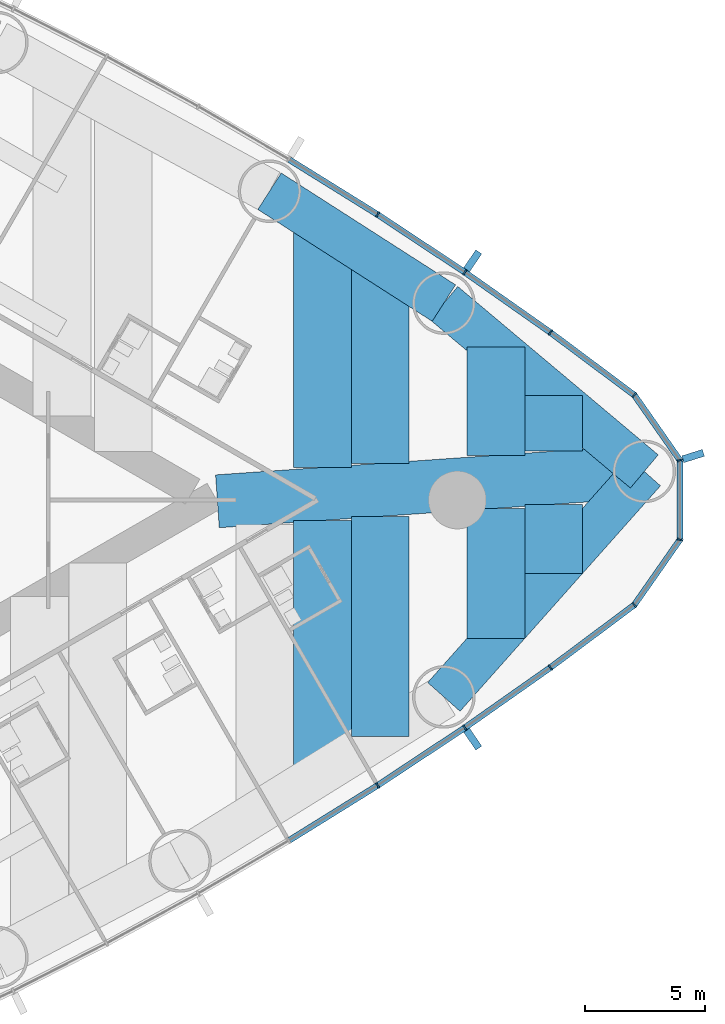
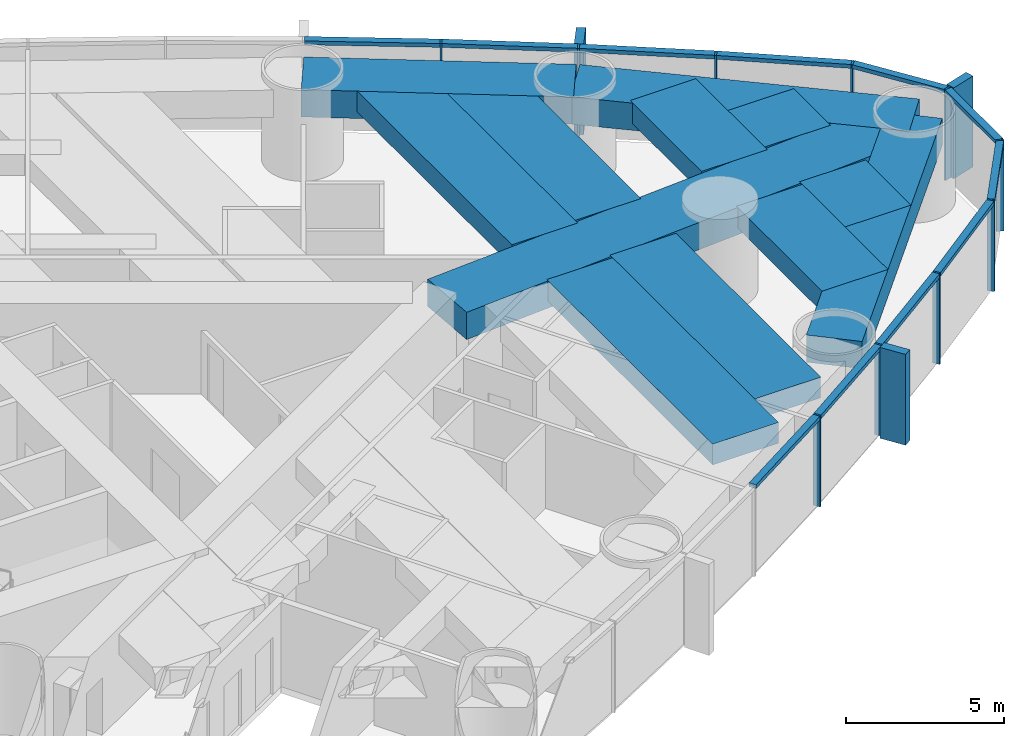
# One storey, part 8 of 18: 24 members, 12 beams, 1 element without a shape of its own.
"""IFC4 building model written with IfcOpenShell, lengths in metres."""

from ifc_helpers import new_model, si_unit, direction, frame, origin, origin_2d, place, context, subcontext, project, spatial, rectangle, extrude, material, material_profile, profile_set, type_object, element, aggregate, save


model = new_model("IFC4")

# Units and contexts
model_context = context("Model", 3, precision=1e-05, world=origin(), true_north=direction((0.0, 1.0)))
body_context = subcontext(model_context, "Body", "Model", "MODEL_VIEW")
ifc_project = project(units=[si_unit("LENGTHUNIT", "METRE"), si_unit("AREAUNIT", "SQUARE_METRE"), si_unit("VOLUMEUNIT", "CUBIC_METRE"), si_unit("PLANEANGLEUNIT", "RADIAN"), si_unit("MASSUNIT", "GRAM", prefix="KILO")], contexts=[model_context])

# Site, building, storey
site_placement = place(None, origin())
site = spatial("IfcSite", under=ifc_project, at=site_placement, CompositionType="ELEMENT")
building_placement = place(site_placement, origin())
building = spatial("IfcBuilding", under=site, at=building_placement, Name="Lancet Gate Hotel", CompositionType="ELEMENT")
storey_placement = place(building_placement, frame((0.0, 0.0, 94.10009765625)))
storey = spatial("IfcBuildingStorey", under=building, at=storey_placement, Name="L24", CompositionType="ELEMENT", Elevation=94.10009765625)

# Curtain wall, members
ifc_material_1 = material(Name="Aluminium curtain wall", Category="aluminium")
curtain_wall_type = type_object("IfcCurtainWallType", Name="Tower unitised curtain wall", PredefinedType="USERDEFINED", material=ifc_material_1)
curtain_wall_placement = place(storey_placement, origin())
curtain_wall = element("IfcCurtainWall", 1, at=curtain_wall_placement, inside=storey, type_object=curtain_wall_type, Name="T2 L24 curtain wall 1", ObjectType="UNITISED CURTAIN WALL", PredefinedType="USERDEFINED")
ifc_material_2 = material(Name="Aluminium mullion", Category="aluminium")
ifc_material_profile_1 = material_profile(ifc_material_2, rectangle(XDim=0.06494140625, YDim=0.25, at=origin_2d()), Name="MULLION 65x250")
ifc_profile_set_1 = profile_set([ifc_material_profile_1], Name="Aluminium mullion")
member_type_1 = type_object("IfcMemberType", Name="Aluminium mullion 65x250", PredefinedType="MULLION", material=ifc_profile_set_1)
member_1_placement = place(storey_placement, frame((58.188720703125, -11.8603515625, 0.0), z_axis=(0.0, 0.0, 1.0), x_axis=(0.841736224144, 0.539888996891, 0.0)))
member_1 = element("IfcMember", 2, at=member_1_placement, type_object=member_type_1, Name="T2 L24 curtain wall 1 mullion 13", PredefinedType="MULLION", context=body_context, shape_type="SweptSolid", body=[
    extrude(rectangle(XDim=0.06494140625, YDim=0.25, at=origin_2d()), origin(), (0.0, 0.0, 1.0), 3.5),
])
member_2_placement = place(storey_placement, frame((61.814208984375, -9.461669921875, 0.0), z_axis=(0.0, 0.0, 1.0), x_axis=(0.826065510491, 0.563574105489, 0.0)))
member_2 = element("IfcMember", 3, at=member_2_placement, type_object=member_type_1, Name="T2 L24 curtain wall 1 mullion 14", PredefinedType="MULLION", context=body_context, shape_type="SweptSolid", body=[
    extrude(rectangle(XDim=0.06494140625, YDim=0.25, at=origin_2d()), origin(), (0.0, 0.0, 1.0), 3.5),
])
member_3_placement = place(storey_placement, frame((65.370361328125, -6.9609375, 0.0), z_axis=(0.0, 0.0, 1.0), x_axis=(0.809728529035, 0.586804660229, 0.0)))
member_3 = element("IfcMember", 4, at=member_3_placement, type_object=member_type_1, Name="T2 L24 curtain wall 1 mullion 15", PredefinedType="MULLION", context=body_context, shape_type="SweptSolid", body=[
    extrude(rectangle(XDim=0.06494140625, YDim=0.25, at=origin_2d()), origin(), (0.0, 0.0, 1.0), 3.5),
])
member_4_placement = place(storey_placement, frame((68.853759765625, -4.360107421875, 0.0), z_axis=(0.0, 0.0, 1.0), x_axis=(0.711610374907, 0.702574319432, 0.0)))
member_4 = element("IfcMember", 5, at=member_4_placement, type_object=member_type_1, Name="T2 L24 curtain wall 1 mullion 16", PredefinedType="MULLION", context=body_context, shape_type="SweptSolid", body=[
    extrude(rectangle(XDim=0.06494140625, YDim=0.25, at=origin_2d()), origin(), (0.0, 0.0, 1.0), 3.5),
])
member_5_placement = place(storey_placement, frame((70.747314453125, -1.652099609375, 0.0), z_axis=(0.0, 0.0, 1.0), x_axis=(0.300384890639, 0.953818073574, 0.0)))
member_5 = element("IfcMember", 6, at=member_5_placement, type_object=member_type_1, Name="T2 L24 curtain wall 1 mullion 17", PredefinedType="MULLION", context=body_context, shape_type="SweptSolid", body=[
    extrude(rectangle(XDim=0.06494140625, YDim=0.25, at=origin_2d()), origin(), (0.0, 0.0, 1.0), 3.5),
])
member_6_placement = place(storey_placement, frame((70.747314453125, 1.652099609375, 0.0), z_axis=(0.0, 0.0, 1.0), x_axis=(-0.300384890639, 0.953818073574, 0.0)))
member_6 = element("IfcMember", 7, at=member_6_placement, type_object=member_type_1, Name="T2 L24 curtain wall 1 mullion 18", PredefinedType="MULLION", context=body_context, shape_type="SweptSolid", body=[
    extrude(rectangle(XDim=0.06494140625, YDim=0.25, at=origin_2d()), origin(), (0.0, 0.0, 1.0), 3.5),
])
member_7_placement = place(storey_placement, frame((68.853759765625, 4.360107421875, 0.0), z_axis=(0.0, 0.0, 1.0), x_axis=(-0.711610374907, 0.702574319432, 0.0)))
member_7 = element("IfcMember", 8, at=member_7_placement, type_object=member_type_1, Name="T2 L24 curtain wall 1 mullion 19", PredefinedType="MULLION", context=body_context, shape_type="SweptSolid", body=[
    extrude(rectangle(XDim=0.06494140625, YDim=0.25, at=origin_2d()), origin(), (0.0, 0.0, 1.0), 3.5),
])
member_8_placement = place(storey_placement, frame((65.370361328125, 6.9609375, 0.0), z_axis=(0.0, 0.0, 1.0), x_axis=(-0.809728529035, 0.586804660229, 0.0)))
member_8 = element("IfcMember", 9, at=member_8_placement, type_object=member_type_1, Name="T2 L24 curtain wall 1 mullion 20", PredefinedType="MULLION", context=body_context, shape_type="SweptSolid", body=[
    extrude(rectangle(XDim=0.06494140625, YDim=0.25, at=origin_2d()), origin(), (0.0, 0.0, 1.0), 3.5),
])
member_9_placement = place(storey_placement, frame((61.814208984375, 9.461669921875, 0.0), z_axis=(0.0, 0.0, 1.0), x_axis=(-0.826065510491, 0.563574105489, 0.0)))
member_9 = element("IfcMember", 10, at=member_9_placement, type_object=member_type_1, Name="T2 L24 curtain wall 1 mullion 21", PredefinedType="MULLION", context=body_context, shape_type="SweptSolid", body=[
    extrude(rectangle(XDim=0.06494140625, YDim=0.25, at=origin_2d()), origin(), (0.0, 0.0, 1.0), 3.5),
])
member_10_placement = place(storey_placement, frame((58.188720703125, 11.8603515625, 0.0), z_axis=(0.0, 0.0, 1.0), x_axis=(-0.841736224144, 0.539888996891, 0.0)))
member_10 = element("IfcMember", 11, at=member_10_placement, type_object=member_type_1, Name="T2 L24 curtain wall 1 mullion 22", PredefinedType="MULLION", context=body_context, shape_type="SweptSolid", body=[
    extrude(rectangle(XDim=0.06494140625, YDim=0.25, at=origin_2d()), origin(), (0.0, 0.0, 1.0), 3.5),
])
ifc_material_3 = material(Name="Aluminium transom", Category="aluminium")
ifc_material_profile_2 = material_profile(ifc_material_3, rectangle(XDim=0.25, YDim=0.14990234375, at=origin_2d()), Name="TRANSOM 250x150")
ifc_profile_set_2 = profile_set([ifc_material_profile_2], Name="Aluminium transom")
member_type_2 = type_object("IfcMemberType", Name="Aluminium transom 250x150", PredefinedType="USERDEFINED", material=ifc_profile_set_2)
member_11_placement = place(storey_placement, frame((54.52392578125, -14.13818359375, 3.4248046875), z_axis=(0.849308812566, 0.527896335371, 0.0), x_axis=(-0.527896335371, 0.849308812566, 0.0)))
member_11 = element("IfcMember", 12, at=member_11_placement, type_object=member_type_2, Name="T2 L24 curtain wall 1 transom 12", ObjectType="TRANSOM", PredefinedType="USERDEFINED", context=body_context, shape_type="SweptSolid", body=[
    extrude(rectangle(XDim=0.25, YDim=0.14990234375, at=origin_2d()), origin(), (0.0, 0.0, 1.0), 4.282470703125),
])
member_12_placement = place(storey_placement, frame((58.2158203125, -11.842529296875, 3.4248046875), z_axis=(0.833966159038, 0.551815590192, 0.0), x_axis=(-0.551815590192, 0.833966159038, 0.0)))
member_12 = element("IfcMember", 13, at=member_12_placement, type_object=member_type_2, Name="T2 L24 curtain wall 1 transom 13", ObjectType="TRANSOM", PredefinedType="USERDEFINED", context=body_context, shape_type="SweptSolid", body=[
    extrude(rectangle(XDim=0.25, YDim=0.14990234375, at=origin_2d()), origin(), (0.0, 0.0, 1.0), 4.2822265625),
])
member_13_placement = place(storey_placement, frame((61.8408203125, -9.44287109375, 3.4248046875), z_axis=(0.817987243547, 0.57523635959, 0.0), x_axis=(-0.57523635959, 0.817987243547, 0.0)))
member_13 = element("IfcMember", 14, at=member_13_placement, type_object=member_type_2, Name="T2 L24 curtain wall 1 transom 14", ObjectType="TRANSOM", PredefinedType="USERDEFINED", context=body_context, shape_type="SweptSolid", body=[
    extrude(rectangle(XDim=0.25, YDim=0.14990234375, at=origin_2d()), origin(), (0.0, 0.0, 1.0), 4.282470703125),
])
member_14_placement = place(storey_placement, frame((65.396240234375, -6.94140625, 3.4248046875), z_axis=(0.801311559064, 0.598247261014, 0.0), x_axis=(-0.598247261014, 0.801311559064, 0.0)))
member_14 = element("IfcMember", 15, at=member_14_placement, type_object=member_type_2, Name="T2 L24 curtain wall 1 transom 15", ObjectType="TRANSOM", PredefinedType="USERDEFINED", context=body_context, shape_type="SweptSolid", body=[
    extrude(rectangle(XDim=0.25, YDim=0.14990234375, at=origin_2d()), origin(), (0.0, 0.0, 1.0), 4.282470703125),
])
member_15_placement = place(storey_placement, frame((68.87255859375, -4.33349609375, 3.4248046875), z_axis=(0.573017137751, 0.819543384967, 0.0), x_axis=(-0.819543384967, 0.573017137751, 0.0)))
member_15 = element("IfcMember", 16, at=member_15_placement, type_object=member_type_2, Name="T2 L24 curtain wall 1 transom 16", ObjectType="TRANSOM", PredefinedType="USERDEFINED", context=body_context, shape_type="SweptSolid", body=[
    extrude(rectangle(XDim=0.25, YDim=0.14990234375, at=origin_2d()), origin(), (0.0, 0.0, 1.0), 3.2392578125),
])
member_16_placement = place(storey_placement, frame((70.747314453125, -1.61962890625, 3.4248046875), z_axis=(0.0, 1.0, 0.0), x_axis=(-1.0, 0.0, 0.0)))
member_16 = element("IfcMember", 17, at=member_16_placement, type_object=member_type_2, Name="T2 L24 curtain wall 1 transom 17", ObjectType="TRANSOM", PredefinedType="USERDEFINED", context=body_context, shape_type="SweptSolid", body=[
    extrude(rectangle(XDim=0.25, YDim=0.14990234375, at=origin_2d()), origin(), (0.0, 0.0, 1.0), 3.2392578125),
])
member_17_placement = place(storey_placement, frame((70.728759765625, 1.6787109375, 3.4248046875), z_axis=(-0.573017137751, 0.819543384967, 0.0), x_axis=(-0.819543384967, -0.573017137751, 0.0)))
member_17 = element("IfcMember", 18, at=member_17_placement, type_object=member_type_2, Name="T2 L24 curtain wall 1 transom 18", ObjectType="TRANSOM", PredefinedType="USERDEFINED", context=body_context, shape_type="SweptSolid", body=[
    extrude(rectangle(XDim=0.25, YDim=0.14990234375, at=origin_2d()), origin(), (0.0, 0.0, 1.0), 3.2392578125),
])
member_18_placement = place(storey_placement, frame((68.827880859375, 4.37939453125, 3.4248046875), z_axis=(-0.801311559064, 0.598247261014, 0.0), x_axis=(-0.598247261014, -0.801311559064, 0.0)))
member_18 = element("IfcMember", 19, at=member_18_placement, type_object=member_type_2, Name="T2 L24 curtain wall 1 transom 19", ObjectType="TRANSOM", PredefinedType="USERDEFINED", context=body_context, shape_type="SweptSolid", body=[
    extrude(rectangle(XDim=0.25, YDim=0.14990234375, at=origin_2d()), origin(), (0.0, 0.0, 1.0), 4.282470703125),
])
member_19_placement = place(storey_placement, frame((65.34375, 6.9794921875, 3.4248046875), z_axis=(-0.817987243547, 0.57523635959, 0.0), x_axis=(-0.57523635959, -0.817987243547, 0.0)))
member_19 = element("IfcMember", 20, at=member_19_placement, type_object=member_type_2, Name="T2 L24 curtain wall 1 transom 20", ObjectType="TRANSOM", PredefinedType="USERDEFINED", context=body_context, shape_type="SweptSolid", body=[
    extrude(rectangle(XDim=0.25, YDim=0.14990234375, at=origin_2d()), origin(), (0.0, 0.0, 1.0), 4.282470703125),
])
member_20_placement = place(storey_placement, frame((61.787109375, 9.4794921875, 3.4248046875), z_axis=(-0.833966159038, 0.551815590192, 0.0), x_axis=(-0.551815590192, -0.833966159038, 0.0)))
member_20 = element("IfcMember", 21, at=member_20_placement, type_object=member_type_2, Name="T2 L24 curtain wall 1 transom 21", ObjectType="TRANSOM", PredefinedType="USERDEFINED", context=body_context, shape_type="SweptSolid", body=[
    extrude(rectangle(XDim=0.25, YDim=0.14990234375, at=origin_2d()), origin(), (0.0, 0.0, 1.0), 4.2822265625),
])
member_21_placement = place(storey_placement, frame((58.1611328125, 11.87744140625, 3.4248046875), z_axis=(-0.849308812566, 0.527896335371, 0.0), x_axis=(-0.527896335371, -0.849308812566, 0.0)))
member_21 = element("IfcMember", 22, at=member_21_placement, type_object=member_type_2, Name="T2 L24 curtain wall 1 transom 22", ObjectType="TRANSOM", PredefinedType="USERDEFINED", context=body_context, shape_type="SweptSolid", body=[
    extrude(rectangle(XDim=0.25, YDim=0.14990234375, at=origin_2d()), origin(), (0.0, 0.0, 1.0), 4.282470703125),
])

# Beams
ifc_material_4 = material(Name="Concrete C50/60", Category="concrete")
ifc_material_profile_3 = material_profile(ifc_material_4, rectangle(XDim=1.800048828125, YDim=1.050048828125, at=origin_2d()), Name="RC 1800x1050")
ifc_profile_set_3 = profile_set([ifc_material_profile_3], Name="Concrete C50/60")
beam_type_1 = type_object("IfcBeamType", Name="Edge beam RC 1800x1050", PredefinedType="SPANDREL", material=ifc_profile_set_3)
beam_1_placement = place(storey_placement, frame((60.940673828125, -8.18115234375, 2.724853515625), z_axis=(0.664421866815, 0.74735773422, 0.0), x_axis=(-0.74735773422, 0.664421866815, 0.0)))
element("IfcBeam", 23, at=beam_1_placement, inside=storey, type_object=beam_type_1, Name="T2 edge beam EB1 L24", PredefinedType="SPANDREL", context=body_context, shape_type="SweptSolid", body=[
    extrude(rectangle(XDim=1.800048828125, YDim=1.050048828125, at=origin_2d()), origin(), (0.0, 0.0, 1.0), 12.534423828125),
])
beam_2_placement = place(storey_placement, frame((69.268798828125, 1.1865234375, 2.724853515625), z_axis=(-0.765749969712, 0.643138386264, 0.0), x_axis=(-0.643138386264, -0.765749969712, 0.0)))
element("IfcBeam", 24, at=beam_2_placement, inside=storey, type_object=beam_type_1, Name="T2 edge beam EB1 L24", PredefinedType="SPANDREL", context=body_context, shape_type="SweptSolid", body=[
    extrude(rectangle(XDim=1.800048828125, YDim=1.050048828125, at=origin_2d()), origin(), (0.0, 0.0, 1.0), 10.875732421875),
])
beam_3_placement = place(storey_placement, frame((60.940673828125, 8.18115234375, 2.724853515625), z_axis=(-0.841727408736, 0.539902740669, 0.0), x_axis=(-0.539902740669, -0.841727408736, 0.0)))
element("IfcBeam", 25, at=beam_3_placement, inside=storey, type_object=beam_type_1, Name="T2 edge beam EB1 L24", PredefinedType="SPANDREL", context=body_context, shape_type="SweptSolid", body=[
    extrude(rectangle(XDim=1.800048828125, YDim=1.050048828125, at=origin_2d()), origin(), (0.0, 0.0, 1.0), 8.605712890625),
])

# Member
ifc_material_5 = material(Name="Precast concrete C50/60", Category="concrete")
ifc_material_profile_4 = material_profile(ifc_material_5, rectangle(XDim=0.300048828125, YDim=0.89990234375, at=origin_2d()), Name="FIN 300x900")
ifc_profile_set_4 = profile_set([ifc_material_profile_4], Name="Precast concrete C50/60")
member_type_3 = type_object("IfcMemberType", Name="Exposed concrete fin 300x900", PredefinedType="USERDEFINED", material=ifc_profile_set_4)
member_22_placement = place(storey_placement, frame((62.138427734375, -9.9365234375, 0.0), z_axis=(0.0, 0.0, 1.0), x_axis=(0.826065510491, 0.563574105489, 0.0)))
member_22 = element("IfcMember", 26, at=member_22_placement, type_object=member_type_3, Name="T2 L24 curtain wall 1 fin 14", ObjectType="FIN", PredefinedType="USERDEFINED", context=body_context, shape_type="SweptSolid", body=[
    extrude(rectangle(XDim=0.300048828125, YDim=0.89990234375, at=origin_2d()), origin(), (0.0, 0.0, 1.0), 3.5),
])

member_23_placement = place(storey_placement, frame((71.295654296875, 1.824951171875, 0.0), z_axis=(0.0, 0.0, 1.0), x_axis=(-0.300384890639, 0.953818073574, 0.0)))
member_23 = element("IfcMember", 27, at=member_23_placement, type_object=member_type_3, Name="T2 L24 curtain wall 1 fin 18", ObjectType="FIN", PredefinedType="USERDEFINED", context=body_context, shape_type="SweptSolid", body=[
    extrude(rectangle(XDim=0.300048828125, YDim=0.89990234375, at=origin_2d()), origin(), (0.0, 0.0, 1.0), 3.5),
])

member_24_placement = place(storey_placement, frame((62.138427734375, 9.9365234375, 0.0), z_axis=(0.0, 0.0, 1.0), x_axis=(-0.826065510491, 0.563574105489, 0.0)))
member_24 = element("IfcMember", 28, at=member_24_placement, type_object=member_type_3, Name="T2 L24 curtain wall 1 fin 21", ObjectType="FIN", PredefinedType="USERDEFINED", context=body_context, shape_type="SweptSolid", body=[
    extrude(rectangle(XDim=0.300048828125, YDim=0.89990234375, at=origin_2d()), origin(), (0.0, 0.0, 1.0), 3.5),
])

aggregate(curtain_wall, [member_1, member_2, member_22, member_3, member_4, member_5, member_6, member_23, member_7, member_8, member_9, member_24, member_10, member_11, member_12, member_13, member_14, member_15, member_16, member_17, member_18, member_19, member_20, member_21])

# Beams
ifc_material_6 = material(Name="Concrete C50/60", Category="concrete")
ifc_material_profile_5 = material_profile(ifc_material_6, rectangle(XDim=2.39990234375, YDim=0.800048828125, at=origin_2d()), Name="RC 2400x800")
ifc_profile_set_5 = profile_set([ifc_material_profile_5], Name="Concrete C50/60")
beam_type_2 = type_object("IfcBeamType", Name="Floor beam RC 2400x800", PredefinedType="BEAM", material=ifc_profile_set_5)
beam_4_placement = place(storey_placement, frame((55.90234375, -11.312744140625, 2.849853515625), z_axis=(0.0, 1.0, 0.0), x_axis=(-1.0, 0.0, 0.0)))
element("IfcBeam", 29, at=beam_4_placement, inside=storey, type_object=beam_type_2, Name="T2 floor beam F14S L24", PredefinedType="BEAM", context=body_context, shape_type="SweptSolid", body=[
    extrude(rectangle(XDim=2.39990234375, YDim=0.800048828125, at=origin_2d()), origin(), (0.0, 0.0, 1.0), 10.4619140625),
])
beam_5_placement = place(storey_placement, frame((55.90234375, 1.3544921875, 2.849853515625), z_axis=(0.0, 1.0, 0.0), x_axis=(-1.0, 0.0, 0.0)))
element("IfcBeam", 30, at=beam_5_placement, inside=storey, type_object=beam_type_2, Name="T2 floor beam F15N L24", PredefinedType="BEAM", context=body_context, shape_type="SweptSolid", body=[
    extrude(rectangle(XDim=2.39990234375, YDim=0.800048828125, at=origin_2d()), origin(), (0.0, 0.0, 1.0), 10.058349609375),
])
beam_6_placement = place(storey_placement, frame((58.30224609375, -9.821044921875, 2.849853515625), z_axis=(0.0, 1.0, 0.0), x_axis=(-1.0, 0.0, 0.0)))
element("IfcBeam", 31, at=beam_6_placement, inside=storey, type_object=beam_type_2, Name="T2 floor beam F16S L24", PredefinedType="BEAM", context=body_context, shape_type="SweptSolid", body=[
    extrude(rectangle(XDim=2.39990234375, YDim=0.800048828125, at=origin_2d()), origin(), (0.0, 0.0, 1.0), 9.137939453125),
])
beam_7_placement = place(storey_placement, frame((58.30224609375, 1.522216796875, 2.849853515625), z_axis=(0.0, 1.0, 0.0), x_axis=(-1.0, 0.0, 0.0)))
element("IfcBeam", 32, at=beam_7_placement, inside=storey, type_object=beam_type_2, Name="T2 floor beam F17N L24", PredefinedType="BEAM", context=body_context, shape_type="SweptSolid", body=[
    extrude(rectangle(XDim=2.39990234375, YDim=0.800048828125, at=origin_2d()), origin(), (0.0, 0.0, 1.0), 8.351318359375),
])
beam_8_placement = place(storey_placement, frame((63.102294921875, -5.75, 2.849853515625), z_axis=(0.0, 1.0, 0.0), x_axis=(-1.0, 0.0, 0.0)))
element("IfcBeam", 33, at=beam_8_placement, inside=storey, type_object=beam_type_2, Name="T2 floor beam F18S L24", PredefinedType="BEAM", context=body_context, shape_type="SweptSolid", body=[
    extrude(rectangle(XDim=2.39990234375, YDim=0.800048828125, at=origin_2d()), origin(), (0.0, 0.0, 1.0), 5.402587890625),
])
beam_9_placement = place(storey_placement, frame((63.102294921875, 1.85791015625, 2.849853515625), z_axis=(0.0, 1.0, 0.0), x_axis=(-1.0, 0.0, 0.0)))
element("IfcBeam", 34, at=beam_9_placement, inside=storey, type_object=beam_type_2, Name="T2 floor beam F19N L24", PredefinedType="BEAM", context=body_context, shape_type="SweptSolid", body=[
    extrude(rectangle(XDim=2.39990234375, YDim=0.800048828125, at=origin_2d()), origin(), (0.0, 0.0, 1.0), 4.5078125),
])
beam_10_placement = place(storey_placement, frame((65.502197265625, -3.05029296875, 2.849853515625), z_axis=(0.0, 1.0, 0.0), x_axis=(-1.0, 0.0, 0.0)))
element("IfcBeam", 35, at=beam_10_placement, inside=storey, type_object=beam_type_2, Name="T2 floor beam F20S L24", PredefinedType="BEAM", context=body_context, shape_type="SweptSolid", body=[
    extrude(rectangle(XDim=2.39990234375, YDim=0.800048828125, at=origin_2d()), origin(), (0.0, 0.0, 1.0), 2.87060546875),
])
beam_11_placement = place(storey_placement, frame((65.502197265625, 2.02587890625, 2.849853515625), z_axis=(0.0, 1.0, 0.0), x_axis=(-1.0, 0.0, 0.0)))
element("IfcBeam", 36, at=beam_11_placement, inside=storey, type_object=beam_type_2, Name="T2 floor beam F21N L24", PredefinedType="BEAM", context=body_context, shape_type="SweptSolid", body=[
    extrude(rectangle(XDim=2.39990234375, YDim=0.800048828125, at=origin_2d()), origin(), (0.0, 0.0, 1.0), 2.32421875),
])
ifc_material_7 = material(Name="Concrete C50/60", Category="concrete")
ifc_material_profile_6 = material_profile(ifc_material_7, rectangle(XDim=2.199951171875, YDim=1.050048828125, at=origin_2d()), Name="RC 2200x1050")
ifc_profile_set_6 = profile_set([ifc_material_profile_6], Name="Concrete C50/60")
beam_type_3 = type_object("IfcBeamType", Name="Radial floor beam RC 2200x1050", PredefinedType="BEAM", material=ifc_profile_set_6)
beam_12_placement = place(storey_placement, frame((69.268798828125, 1.1865234375, 2.724853515625), z_axis=(-0.99756389092, -0.069758752369, 0.0), x_axis=(0.069758752369, -0.99756389092, 0.0)))
element("IfcBeam", 37, at=beam_12_placement, inside=storey, type_object=beam_type_3, Name="T2 radial beam CA L24", PredefinedType="BEAM", context=body_context, shape_type="SweptSolid", body=[
    extrude(rectangle(XDim=2.199951171875, YDim=1.050048828125, at=origin_2d()), origin(), (0.0, 0.0, 1.0), 17.77880859375),
])

save(model, "model.ifc")
